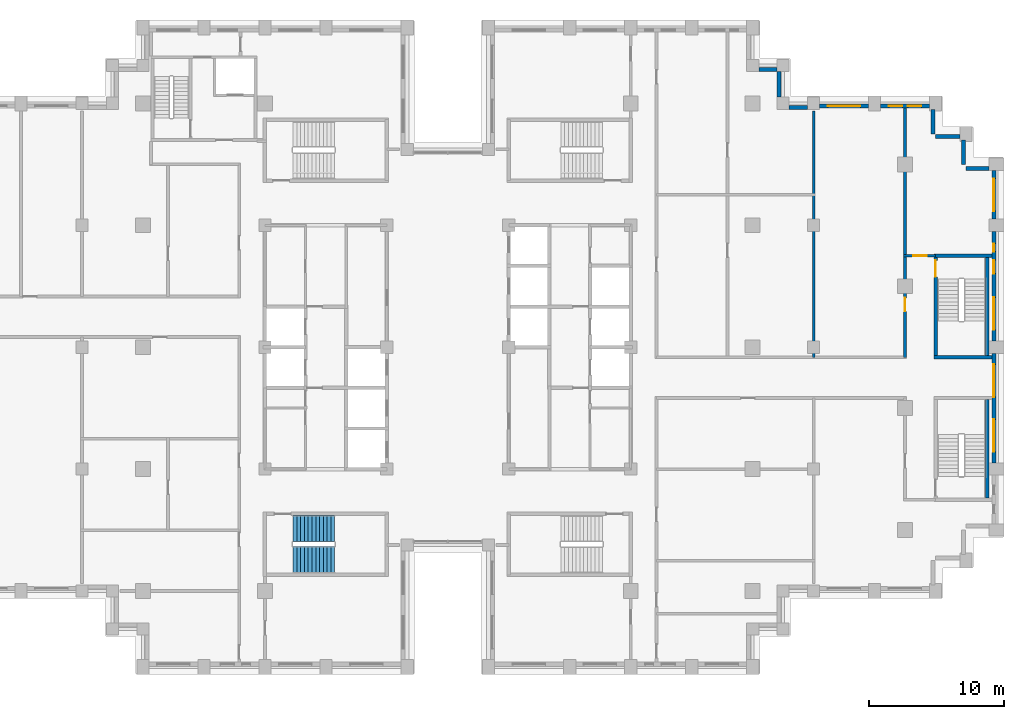
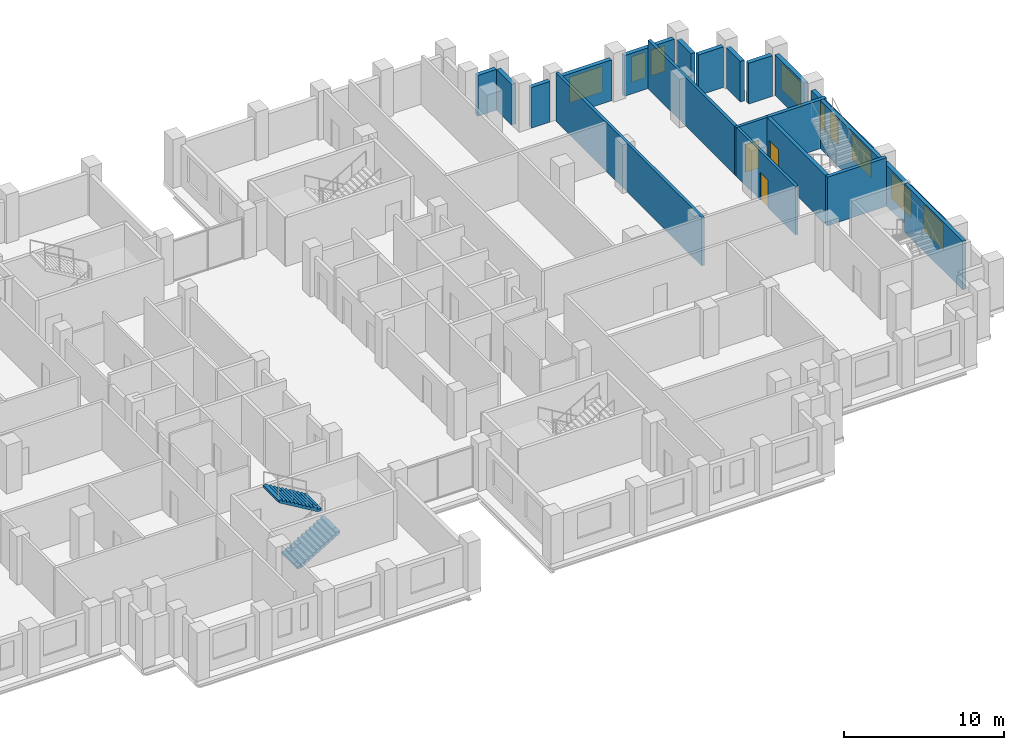
# One storey, part 12 of 15: 20 walls, 9 windows, 3 doors, 2 stair flights, 12 openings, 1 element without a shape of its own.
"""IFC4 building model written with IfcOpenShell, lengths in metres."""

from ifc_helpers import new_model, si_unit, direction, frame, frame_2d, origin, place, context, subcontext, project, spatial, polyline, rectangle, outline, extrude, material, layer, layer_set, type_object, element, fill, aggregate, save


model = new_model("IFC4")

# Units and contexts
model_context = context("Model", 3, precision=1e-05, world=origin(), true_north=direction((0.0, 1.0)))
body_context = subcontext(model_context, "Body", "Model", "MODEL_VIEW")
ifc_project = project(units=[si_unit("LENGTHUNIT", "METRE"), si_unit("AREAUNIT", "SQUARE_METRE"), si_unit("VOLUMEUNIT", "CUBIC_METRE"), si_unit("PLANEANGLEUNIT", "RADIAN"), si_unit("MASSUNIT", "GRAM", prefix="KILO")], contexts=[model_context])

# Site, building, storey
site_placement = place(None, origin())
site = spatial("IfcSite", under=ifc_project, at=site_placement, CompositionType="ELEMENT")
building_placement = place(site_placement, origin())
building = spatial("IfcBuilding", under=site, at=building_placement, Name="Corbelhall Arena Tower", CompositionType="ELEMENT")
storey_placement = place(building_placement, frame((0.0, 0.0, 166.0)))
storey = spatial("IfcBuildingStorey", under=building, at=storey_placement, Name="L33", CompositionType="ELEMENT", Elevation=166.0)

# Walls
ifc_material_1 = material(Name="Precast concrete C40/50 with granite facing", Category="masonry")
ifc_layer_1 = layer(ifc_material_1, 0.300048828125)
ifc_layer_set_1 = layer_set([ifc_layer_1], Name="EV-IW1 Infill panel 300")
wall_type_1 = type_object("IfcWallType", Name="EV-IW1 Infill panel 300", PredefinedType="SOLIDWALL", material=ifc_layer_set_1)
wall_1_placement = place(storey_placement, frame((39.949951171875, 13.199951171875, 0.0), z_axis=(0.0, 0.0, 1.0), x_axis=(-1.0, 0.0, 0.0)))
element("IfcWall", 1, at=wall_1_placement, inside=storey, type_object=wall_type_1, Name="Infill panel IW1", PredefinedType="SOLIDWALL", context=body_context, shape_type="SweptSolid", body=[
    extrude(rectangle(XDim=1.699951171875, YDim=0.300048828125, at=frame_2d((0.85009765625, 0.0))), origin(), (0.0, 0.0, 1.0), 3.10009765625),
])
for number, where, z_axis, x_axis, name in (
    (2, (38.050048828125, 15.300048828125, 0.0), (0.0, 0.0, 1.0), (0.0, -1.0, 0.0), "Infill panel IW1"),
    (3, (37.800048828125, 15.550048828125, 0.0), (0.0, 0.0, 1.0), (-1.0, 0.0, 0.0), "Infill panel IW1"),
    (4, (35.800048828125, 17.550048828125, 0.0), (0.0, 0.0, 1.0), (0.0, -1.0, 0.0), "Infill panel IW1"),
):
    element("IfcWall", number, at=place(storey_placement, frame(where, z_axis=z_axis, x_axis=x_axis)), inside=storey, type_object=wall_type_1, Name=name, PredefinedType="SOLIDWALL", context=body_context, shape_type="SweptSolid", body=[
        extrude(rectangle(XDim=1.800048828125, YDim=0.300048828125, at=frame_2d((0.89990234375, 0.0))), origin(), (0.0, 0.0, 1.0), 3.10009765625),
    ])

# Wall, openings, windows
wall_2_placement = place(storey_placement, frame((40.300048828125, -8.550048828125, 0.0), z_axis=(0.0, 0.0, 1.0), x_axis=(0.0, 1.0, 0.0)))
wall_2 = element("IfcWall", 5, at=wall_2_placement, inside=storey, type_object=wall_type_1, Name="Infill panel IW1", PredefinedType="SOLIDWALL", context=body_context, shape_type="SweptSolid", body=[
    extrude(rectangle(XDim=8.10009765625, YDim=0.300048828125, at=frame_2d((4.050048828125, 0.0))), origin(), (0.0, 0.0, 1.0), 3.10009765625),
])
opening_1_placement = place(wall_2_placement, frame((0.824951171875, 0.0, 0.800048828125)))
opening_1 = element("IfcOpeningElement", 6, at=opening_1_placement, cuts=wall_2, Name="Opening WN1", PredefinedType="OPENING", context=body_context, shape_type="SweptSolid", body=[
    extrude(rectangle(XDim=2.39990234375, YDim=1.949951171875, at=frame_2d((1.199951171875, 0.97509765625))), frame((0.0, 0.14990234375, 0.0), z_axis=(0.0, -1.0, 0.0), x_axis=(1.0, 0.0, 0.0)), (0.0, 0.0, 1.0), 0.300048828125),
])
opening_2_placement = place(wall_2_placement, frame((4.875, 0.0, 0.800048828125)))
opening_2 = element("IfcOpeningElement", 7, at=opening_2_placement, cuts=wall_2, Name="Opening WN1", PredefinedType="OPENING", context=body_context, shape_type="SweptSolid", body=[
    extrude(rectangle(XDim=2.39990234375, YDim=1.949951171875, at=frame_2d((1.199951171875, 0.97509765625))), frame((0.0, 0.14990234375, 0.0), z_axis=(0.0, -1.0, 0.0), x_axis=(1.0, 0.0, 0.0)), (0.0, 0.0, 1.0), 0.300048828125),
])
ifc_material_2 = material(Name="Aluminium black anodised", Category="aluminium")
window_type_1 = type_object("IfcWindowType", Name="EV-WN1 Office window", PartitioningType="SINGLE_PANEL", PredefinedType="WINDOW", material=ifc_material_2)
window_1_placement = place(opening_1_placement, origin())
window_1 = element("IfcWindow", 8, at=window_1_placement, inside=storey, type_object=window_type_1, Name="Window WN1", OverallHeight=1.949951171875, OverallWidth=2.39990234375, PartitioningType="SINGLE_PANEL", PredefinedType="WINDOW", context=body_context, shape_type="SweptSolid", body=[
    extrude(rectangle(XDim=2.39990234375, YDim=1.949951171875, at=frame_2d((1.199951171875, 0.97509765625))), frame((0.0, 0.030029296875, 0.0), z_axis=(0.0, -1.0, 0.0), x_axis=(1.0, 0.0, 0.0)), (0.0, 0.0, 1.0), 0.06005859375),
])
fill(opening_1, window_1)
window_2_placement = place(opening_2_placement, origin())
window_2 = element("IfcWindow", 9, at=window_2_placement, inside=storey, type_object=window_type_1, Name="Window WN1", OverallHeight=1.949951171875, OverallWidth=2.39990234375, PartitioningType="SINGLE_PANEL", PredefinedType="WINDOW", context=body_context, shape_type="SweptSolid", body=[
    extrude(rectangle(XDim=2.39990234375, YDim=1.949951171875, at=frame_2d((1.199951171875, 0.97509765625))), frame((0.0, 0.030029296875, 0.0), z_axis=(0.0, -1.0, 0.0), x_axis=(1.0, 0.0, 0.0)), (0.0, 0.0, 1.0), 0.06005859375),
])
fill(opening_2, window_2)

wall_3_placement = place(storey_placement, frame((40.300048828125, 0.449951171875, 0.0), z_axis=(0.0, 0.0, 1.0), x_axis=(0.0, 1.0, 0.0)))
wall_3 = element("IfcWall", 10, at=wall_3_placement, inside=storey, type_object=wall_type_1, Name="Infill panel IW1", PredefinedType="SOLIDWALL", context=body_context, shape_type="SweptSolid", body=[
    extrude(rectangle(XDim=8.10009765625, YDim=0.300048828125, at=frame_2d((4.050048828125, 0.0))), origin(), (0.0, 0.0, 1.0), 3.10009765625),
])
opening_3_placement = place(wall_3_placement, frame((0.824951171875, 0.0, 0.800048828125)))
opening_3 = element("IfcOpeningElement", 11, at=opening_3_placement, cuts=wall_3, Name="Opening WN1", PredefinedType="OPENING", context=body_context, shape_type="SweptSolid", body=[
    extrude(rectangle(XDim=2.39990234375, YDim=1.949951171875, at=frame_2d((1.199951171875, 0.97509765625))), frame((0.0, 0.14990234375, 0.0), z_axis=(0.0, -1.0, 0.0), x_axis=(1.0, 0.0, 0.0)), (0.0, 0.0, 1.0), 0.300048828125),
])
opening_4_placement = place(wall_3_placement, frame((4.97509765625, 0.0, 0.800048828125)))
opening_4 = element("IfcOpeningElement", 12, at=opening_4_placement, cuts=wall_3, Name="Opening WN6", PredefinedType="OPENING", context=body_context, shape_type="SweptSolid", body=[
    extrude(rectangle(XDim=1.0, YDim=1.949951171875, at=frame_2d((0.5, 0.97509765625))), frame((0.0, 0.14990234375, 0.0), z_axis=(0.0, -1.0, 0.0), x_axis=(1.0, 0.0, 0.0)), (0.0, 0.0, 1.0), 0.300048828125),
])
opening_5_placement = place(wall_3_placement, frame((6.60009765625, 0.0, 0.800048828125)))
opening_5 = element("IfcOpeningElement", 13, at=opening_5_placement, cuts=wall_3, Name="Opening WN5", PredefinedType="OPENING", context=body_context, shape_type="SweptSolid", body=[
    extrude(rectangle(XDim=0.60009765625, YDim=1.949951171875, at=frame_2d((0.300048828125, 0.97509765625))), frame((0.0, 0.14990234375, 0.0), z_axis=(0.0, -1.0, 0.0), x_axis=(1.0, 0.0, 0.0)), (0.0, 0.0, 1.0), 0.300048828125),
])
window_3_placement = place(opening_3_placement, origin())
window_3 = element("IfcWindow", 14, at=window_3_placement, inside=storey, type_object=window_type_1, Name="Window WN1", OverallHeight=1.949951171875, OverallWidth=2.39990234375, PartitioningType="SINGLE_PANEL", PredefinedType="WINDOW", context=body_context, shape_type="SweptSolid", body=[
    extrude(rectangle(XDim=2.39990234375, YDim=1.949951171875, at=frame_2d((1.199951171875, 0.97509765625))), frame((0.0, 0.030029296875, 0.0), z_axis=(0.0, -1.0, 0.0), x_axis=(1.0, 0.0, 0.0)), (0.0, 0.0, 1.0), 0.06005859375),
])
fill(opening_3, window_3)
window_type_2 = type_object("IfcWindowType", Name="EV-WN5 Office window 600", PartitioningType="SINGLE_PANEL", PredefinedType="WINDOW", material=ifc_material_2)
window_4_placement = place(opening_5_placement, origin())
window_4 = element("IfcWindow", 15, at=window_4_placement, inside=storey, type_object=window_type_2, Name="Window WN5", OverallHeight=1.949951171875, OverallWidth=0.60009765625, PartitioningType="SINGLE_PANEL", PredefinedType="WINDOW", context=body_context, shape_type="SweptSolid", body=[
    extrude(rectangle(XDim=0.60009765625, YDim=1.949951171875, at=frame_2d((0.300048828125, 0.97509765625))), frame((0.0, 0.030029296875, 0.0), z_axis=(0.0, -1.0, 0.0), x_axis=(1.0, 0.0, 0.0)), (0.0, 0.0, 1.0), 0.06005859375),
])
fill(opening_5, window_4)
window_type_3 = type_object("IfcWindowType", Name="EV-WN6 Office window 1000", PartitioningType="SINGLE_PANEL", PredefinedType="WINDOW", material=ifc_material_2)
window_5_placement = place(opening_4_placement, origin())
window_5 = element("IfcWindow", 16, at=window_5_placement, inside=storey, type_object=window_type_3, Name="Window WN6", OverallHeight=1.949951171875, OverallWidth=1.0, PartitioningType="SINGLE_PANEL", PredefinedType="WINDOW", context=body_context, shape_type="SweptSolid", body=[
    extrude(rectangle(XDim=1.0, YDim=1.949951171875, at=frame_2d((0.5, 0.97509765625))), frame((0.0, 0.030029296875, 0.0), z_axis=(0.0, -1.0, 0.0), x_axis=(1.0, 0.0, 0.0)), (0.0, 0.0, 1.0), 0.06005859375),
])
fill(opening_4, window_5)

# Wall, opening, window
wall_4_placement = place(storey_placement, frame((40.300048828125, 9.449951171875, 0.0), z_axis=(0.0, 0.0, 1.0), x_axis=(0.0, 1.0, 0.0)))
wall_4 = element("IfcWall", 17, at=wall_4_placement, inside=storey, type_object=wall_type_1, Name="Infill panel IW1", PredefinedType="SOLIDWALL", context=body_context, shape_type="SweptSolid", body=[
    extrude(rectangle(XDim=3.60009765625, YDim=0.300048828125, at=frame_2d((1.800048828125, 0.0))), origin(), (0.0, 0.0, 1.0), 3.10009765625),
])
opening_6_placement = place(wall_4_placement, frame((0.60009765625, 0.0, 0.800048828125)))
opening_6 = element("IfcOpeningElement", 18, at=opening_6_placement, cuts=wall_4, Name="Opening WN1", PredefinedType="OPENING", context=body_context, shape_type="SweptSolid", body=[
    extrude(rectangle(XDim=2.39990234375, YDim=1.949951171875, at=frame_2d((1.199951171875, 0.97509765625))), frame((0.0, 0.14990234375, 0.0), z_axis=(0.0, -1.0, 0.0), x_axis=(1.0, 0.0, 0.0)), (0.0, 0.0, 1.0), 0.300048828125),
])
window_6_placement = place(opening_6_placement, origin())
window_6 = element("IfcWindow", 19, at=window_6_placement, inside=storey, type_object=window_type_1, Name="Window WN1", OverallHeight=1.949951171875, OverallWidth=2.39990234375, PartitioningType="SINGLE_PANEL", PredefinedType="WINDOW", context=body_context, shape_type="SweptSolid", body=[
    extrude(rectangle(XDim=2.39990234375, YDim=1.949951171875, at=frame_2d((1.199951171875, 0.97509765625))), frame((0.0, 0.030029296875, 0.0), z_axis=(0.0, -1.0, 0.0), x_axis=(1.0, 0.0, 0.0)), (0.0, 0.0, 1.0), 0.06005859375),
])
fill(opening_6, window_6)

# Wall, openings, windows
wall_5_placement = place(storey_placement, frame((35.550048828125, 17.800048828125, 0.0), z_axis=(0.0, 0.0, 1.0), x_axis=(-1.0, 0.0, 0.0)))
wall_5 = element("IfcWall", 20, at=wall_5_placement, inside=storey, type_object=wall_type_1, Name="Infill panel IW1", PredefinedType="SOLIDWALL", context=body_context, shape_type="SweptSolid", body=[
    extrude(rectangle(XDim=3.60009765625, YDim=0.300048828125, at=frame_2d((1.800048828125, 0.0))), origin(), (0.0, 0.0, 1.0), 3.10009765625),
])
opening_7_placement = place(wall_5_placement, frame((0.60009765625, 0.0, 0.800048828125)))
opening_7 = element("IfcOpeningElement", 21, at=opening_7_placement, cuts=wall_5, Name="Opening WN6", PredefinedType="OPENING", context=body_context, shape_type="SweptSolid", body=[
    extrude(rectangle(XDim=1.0, YDim=1.949951171875, at=frame_2d((0.5, 0.97509765625))), frame((0.0, 0.14990234375, 0.0), z_axis=(0.0, -1.0, 0.0), x_axis=(1.0, 0.0, 0.0)), (0.0, 0.0, 1.0), 0.300048828125),
])
opening_8_placement = place(wall_5_placement, frame((2.0, 0.0, 0.800048828125)))
opening_8 = element("IfcOpeningElement", 22, at=opening_8_placement, cuts=wall_5, Name="Opening WN6", PredefinedType="OPENING", context=body_context, shape_type="SweptSolid", body=[
    extrude(rectangle(XDim=1.0, YDim=1.949951171875, at=frame_2d((0.5, 0.97509765625))), frame((0.0, 0.14990234375, 0.0), z_axis=(0.0, -1.0, 0.0), x_axis=(1.0, 0.0, 0.0)), (0.0, 0.0, 1.0), 0.300048828125),
])
window_7_placement = place(opening_7_placement, origin())
window_7 = element("IfcWindow", 23, at=window_7_placement, inside=storey, type_object=window_type_3, Name="Window WN6", OverallHeight=1.949951171875, OverallWidth=1.0, PartitioningType="SINGLE_PANEL", PredefinedType="WINDOW", context=body_context, shape_type="SweptSolid", body=[
    extrude(rectangle(XDim=1.0, YDim=1.949951171875, at=frame_2d((0.5, 0.97509765625))), frame((0.0, 0.030029296875, 0.0), z_axis=(0.0, -1.0, 0.0), x_axis=(1.0, 0.0, 0.0)), (0.0, 0.0, 1.0), 0.06005859375),
])
fill(opening_7, window_7)
window_8_placement = place(opening_8_placement, origin())
window_8 = element("IfcWindow", 24, at=window_8_placement, inside=storey, type_object=window_type_3, Name="Window WN6", OverallHeight=1.949951171875, OverallWidth=1.0, PartitioningType="SINGLE_PANEL", PredefinedType="WINDOW", context=body_context, shape_type="SweptSolid", body=[
    extrude(rectangle(XDim=1.0, YDim=1.949951171875, at=frame_2d((0.5, 0.97509765625))), frame((0.0, 0.030029296875, 0.0), z_axis=(0.0, -1.0, 0.0), x_axis=(1.0, 0.0, 0.0)), (0.0, 0.0, 1.0), 0.06005859375),
])
fill(opening_8, window_8)

# Wall, opening, window
wall_6_placement = place(storey_placement, frame((31.050048828125, 17.800048828125, 0.0), z_axis=(0.0, 0.0, 1.0), x_axis=(-1.0, 0.0, 0.0)))
wall_6 = element("IfcWall", 25, at=wall_6_placement, inside=storey, type_object=wall_type_1, Name="Infill panel IW1", PredefinedType="SOLIDWALL", context=body_context, shape_type="SweptSolid", body=[
    extrude(rectangle(XDim=3.60009765625, YDim=0.300048828125, at=frame_2d((1.800048828125, 0.0))), origin(), (0.0, 0.0, 1.0), 3.10009765625),
])
opening_9_placement = place(wall_6_placement, frame((0.60009765625, 0.0, 0.800048828125)))
opening_9 = element("IfcOpeningElement", 26, at=opening_9_placement, cuts=wall_6, Name="Opening WN1", PredefinedType="OPENING", context=body_context, shape_type="SweptSolid", body=[
    extrude(rectangle(XDim=2.39990234375, YDim=1.949951171875, at=frame_2d((1.199951171875, 0.97509765625))), frame((0.0, 0.14990234375, 0.0), z_axis=(0.0, -1.0, 0.0), x_axis=(1.0, 0.0, 0.0)), (0.0, 0.0, 1.0), 0.300048828125),
])
window_9_placement = place(opening_9_placement, origin())
window_9 = element("IfcWindow", 27, at=window_9_placement, inside=storey, type_object=window_type_1, Name="Window WN1", OverallHeight=1.949951171875, OverallWidth=2.39990234375, PartitioningType="SINGLE_PANEL", PredefinedType="WINDOW", context=body_context, shape_type="SweptSolid", body=[
    extrude(rectangle(XDim=2.39990234375, YDim=1.949951171875, at=frame_2d((1.199951171875, 0.97509765625))), frame((0.0, 0.030029296875, 0.0), z_axis=(0.0, -1.0, 0.0), x_axis=(1.0, 0.0, 0.0)), (0.0, 0.0, 1.0), 0.06005859375),
])
fill(opening_9, window_9)

# Walls
wall_7_placement = place(storey_placement, frame((26.550048828125, 17.699951171875, 0.0), z_axis=(0.0, 0.0, 1.0), x_axis=(-1.0, 0.0, 0.0)))
element("IfcWall", 28, at=wall_7_placement, inside=storey, type_object=wall_type_1, Name="Infill panel IW1", PredefinedType="SOLIDWALL", context=body_context, shape_type="SweptSolid", body=[
    extrude(rectangle(XDim=1.35009765625, YDim=0.300048828125, at=frame_2d((0.675048828125, 0.0))), origin(), (0.0, 0.0, 1.0), 3.10009765625),
])
wall_8_placement = place(storey_placement, frame((24.449951171875, 18.449951171875, 0.0), z_axis=(0.0, 0.0, 1.0), x_axis=(0.0, 1.0, 0.0)))
element("IfcWall", 29, at=wall_8_placement, inside=storey, type_object=wall_type_1, Name="Infill panel IW1", PredefinedType="SOLIDWALL", context=body_context, shape_type="SweptSolid", body=[
    extrude(rectangle(XDim=1.900146484375, YDim=0.300048828125, at=frame_2d((0.9501953125, 0.0))), origin(), (0.0, 0.0, 1.0), 3.10009765625),
])
wall_9_placement = place(storey_placement, frame((24.300048828125, 20.5, 0.0), z_axis=(0.0, 0.0, 1.0), x_axis=(-1.0, 0.0, 0.0)))
element("IfcWall", 30, at=wall_9_placement, inside=storey, type_object=wall_type_1, Name="Infill panel IW1", PredefinedType="SOLIDWALL", context=body_context, shape_type="SweptSolid", body=[
    extrude(rectangle(XDim=1.35009765625, YDim=0.300048828125, at=frame_2d((0.675048828125, 0.0))), origin(), (0.0, 0.0, 1.0), 3.10009765625),
])
ifc_material_3 = material(Name="Gypsum board on steel stud, acoustic", Category="steel")
ifc_layer_2 = layer(ifc_material_3, 0.199951171875)
ifc_layer_set_2 = layer_set([ifc_layer_2], Name="IN-W-DM200")
wall_type_2 = type_object("IfcWallType", Name="IN-W-DM200", PredefinedType="PARTITIONING", material=ifc_layer_set_2)
wall_10_placement = place(storey_placement, frame((27.0, 17.449951171875, 0.0), z_axis=(0.0, 0.0, 1.0), x_axis=(0.0, -1.0, 0.0)))
element("IfcWall", 31, at=wall_10_placement, inside=storey, type_object=wall_type_2, Name="Partition 038", PredefinedType="PARTITIONING", context=body_context, shape_type="SweptSolid", body=[
    extrude(rectangle(XDim=18.199951171875, YDim=0.199951171875, at=frame_2d((9.10009765625, 0.0))), origin(), (0.0, 0.0, 1.0), 3.699951171875),
])

# Wall, opening, door
wall_11_placement = place(storey_placement, frame((33.64990234375, 6.75, 0.0), z_axis=(0.0, 0.0, 1.0), x_axis=(1.0, 0.0, 0.0)))
wall_11 = element("IfcWall", 32, at=wall_11_placement, inside=storey, type_object=wall_type_2, Name="Partition 040", PredefinedType="PARTITIONING", context=body_context, shape_type="SweptSolid", body=[
    extrude(rectangle(XDim=2.35009765625, YDim=0.199951171875, at=frame_2d((1.175048828125, 0.0))), origin(), (0.0, 0.0, 1.0), 3.699951171875),
])
opening_10_placement = place(wall_11_placement, frame((0.699951171875, 0.0, 0.0)))
opening_10 = element("IfcOpeningElement", 33, at=opening_10_placement, cuts=wall_11, Name="Opening 09044", PredefinedType="OPENING", context=body_context, shape_type="SweptSolid", body=[
    extrude(rectangle(XDim=1.0, YDim=2.10009765625, at=frame_2d((0.5, 1.050048828125))), frame((0.0, 0.10009765625, 0.0), z_axis=(0.0, -1.0, 0.0), x_axis=(1.0, 0.0, 0.0)), (0.0, 0.0, 1.0), 0.199951171875),
])
ifc_material_4 = material(Name="Steel door set", Category="steel")
door_type_1 = type_object("IfcDoorType", Name="IN-D-SW100", OperationType="NOTDEFINED", PredefinedType="DOOR", material=ifc_material_4)
door_1_placement = place(opening_10_placement, origin())
door_1 = element("IfcDoor", 34, at=door_1_placement, inside=storey, type_object=door_type_1, Name="Door 044", OperationType="SINGLE_SWING_LEFT", OverallHeight=2.10009765625, OverallWidth=1.0, PredefinedType="DOOR", context=body_context, shape_type="SweptSolid", body=[
    extrude(rectangle(XDim=1.0, YDim=2.10009765625, at=frame_2d((0.5, 1.050048828125))), frame((0.0, 0.02490234375, 0.0), z_axis=(0.0, -1.0, 0.0), x_axis=(1.0, 0.0, 0.0)), (0.0, 0.0, 1.0), 0.050048828125),
])
fill(opening_10, door_1)

wall_12_placement = place(storey_placement, frame((33.75, -0.75, 0.0), z_axis=(0.0, 0.0, 1.0), x_axis=(0.0, 1.0, 0.0)))
wall_12 = element("IfcWall", 35, at=wall_12_placement, inside=storey, type_object=wall_type_2, Name="Partition 042", PredefinedType="PARTITIONING", context=body_context, shape_type="SweptSolid", body=[
    extrude(rectangle(XDim=18.39990234375, YDim=0.199951171875, at=frame_2d((9.199951171875, 0.0))), origin(), (0.0, 0.0, 1.0), 3.699951171875),
])
opening_11_placement = place(wall_12_placement, frame((3.39990234375, 0.0, 0.0)))
opening_11 = element("IfcOpeningElement", 36, at=opening_11_placement, cuts=wall_12, Name="Opening 09043", PredefinedType="OPENING", context=body_context, shape_type="SweptSolid", body=[
    extrude(rectangle(XDim=1.0, YDim=2.10009765625, at=frame_2d((0.5, 1.050048828125))), frame((0.0, 0.10009765625, 0.0), z_axis=(0.0, -1.0, 0.0), x_axis=(1.0, 0.0, 0.0)), (0.0, 0.0, 1.0), 0.199951171875),
])
door_2_placement = place(opening_11_placement, origin())
door_2 = element("IfcDoor", 37, at=door_2_placement, inside=storey, type_object=door_type_1, Name="Door 043", OperationType="SINGLE_SWING_RIGHT", OverallHeight=2.10009765625, OverallWidth=1.0, PredefinedType="DOOR", context=body_context, shape_type="SweptSolid", body=[
    extrude(rectangle(XDim=1.0, YDim=2.10009765625, at=frame_2d((0.5, 1.050048828125))), frame((0.0, 0.02490234375, 0.0), z_axis=(0.0, -1.0, 0.0), x_axis=(1.0, 0.0, 0.0)), (0.0, 0.0, 1.0), 0.050048828125),
])
fill(opening_11, door_2)

# Wall
ifc_material_5 = material(Name="Concrete C40/50", Category="concrete")
ifc_layer_3 = layer(ifc_material_5, 0.25)
ifc_layer_set_3 = layer_set([ifc_layer_3], Name="IN-W-ST250")
wall_type_3 = type_object("IfcWallType", Name="IN-W-ST250", PredefinedType="SOLIDWALL", material=ifc_layer_set_3)
wall_13_placement = place(storey_placement, frame((35.875, -0.75, 0.0), z_axis=(0.0, 0.0, 1.0), x_axis=(1.0, 0.0, 0.0)))
element("IfcWall", 38, at=wall_13_placement, inside=storey, type_object=wall_type_3, Name="Shaft wall 100", PredefinedType="SOLIDWALL", context=body_context, shape_type="SweptSolid", body=[
    extrude(rectangle(XDim=4.27490234375, YDim=0.25, at=frame_2d((2.137451171875, 0.0))), origin(), (0.0, 0.0, 1.0), 3.699951171875),
])

# Wall, opening, door
wall_14_placement = place(storey_placement, frame((36.0, -0.75, 0.0), z_axis=(0.0, 0.0, 1.0), x_axis=(0.0, 1.0, 0.0)))
wall_14 = element("IfcWall", 39, at=wall_14_placement, inside=storey, type_object=wall_type_3, Name="Shaft wall 102", PredefinedType="SOLIDWALL", context=body_context, shape_type="SweptSolid", body=[
    extrude(rectangle(XDim=7.625, YDim=0.25, at=frame_2d((3.8125, 0.0))), origin(), (0.0, 0.0, 1.0), 3.699951171875),
])
opening_12_placement = place(wall_14_placement, frame((5.949951171875, 0.0, 0.0)))
opening_12 = element("IfcOpeningElement", 40, at=opening_12_placement, cuts=wall_14, Name="Opening 09019", PredefinedType="OPENING", context=body_context, shape_type="SweptSolid", body=[
    extrude(rectangle(XDim=1.199951171875, YDim=2.10009765625, at=frame_2d((0.60009765625, 1.050048828125))), frame((0.0, 0.125, 0.0), z_axis=(0.0, -1.0, 0.0), x_axis=(1.0, 0.0, 0.0)), (0.0, 0.0, 1.0), 0.25),
])
door_type_2 = type_object("IfcDoorType", Name="IN-D-ST120", OperationType="NOTDEFINED", PredefinedType="DOOR", material=ifc_material_4)
door_3_placement = place(opening_12_placement, origin())
door_3 = element("IfcDoor", 41, at=door_3_placement, inside=storey, type_object=door_type_2, Name="Door 019", OperationType="SINGLE_SWING_RIGHT", OverallHeight=2.10009765625, OverallWidth=1.199951171875, PredefinedType="DOOR", context=body_context, shape_type="SweptSolid", body=[
    extrude(rectangle(XDim=1.199951171875, YDim=2.10009765625, at=frame_2d((0.60009765625, 1.050048828125))), frame((0.0, 0.02490234375, 0.0), z_axis=(0.0, -1.0, 0.0), x_axis=(1.0, 0.0, 0.0)), (0.0, 0.0, 1.0), 0.050048828125),
])
fill(opening_12, door_3)

# Walls
wall_15_placement = place(storey_placement, frame((36.0, 6.75, 0.0), z_axis=(0.0, 0.0, 1.0), x_axis=(1.0, 0.0, 0.0)))
element("IfcWall", 42, at=wall_15_placement, inside=storey, type_object=wall_type_3, Name="Shaft wall 103", PredefinedType="SOLIDWALL", context=body_context, shape_type="SweptSolid", body=[
    extrude(rectangle(XDim=4.14990234375, YDim=0.25, at=frame_2d((2.074951171875, 0.0))), origin(), (0.0, 0.0, 1.0), 3.699951171875),
])
for number, where, z_axis, x_axis, name in (
    (43, (39.824951171875, -11.125, 0.0), (0.0, 0.0, 1.0), (0.0, 1.0, 0.0), "Shaft wall SD1 facade side"),
    (44, (39.824951171875, -0.625, 0.0), (0.0, 0.0, 1.0), (0.0, 1.0, 0.0), "Shaft wall SD2 facade side"),
):
    element("IfcWall", number, at=place(storey_placement, frame(where, z_axis=z_axis, x_axis=x_axis)), inside=storey, type_object=wall_type_3, Name=name, PredefinedType="SOLIDWALL", context=body_context, shape_type="SweptSolid", body=[
        extrude(rectangle(XDim=7.25, YDim=0.25, at=frame_2d((3.625, 0.0))), origin(), (0.0, 0.0, 1.0), 3.699951171875),
    ])

# Stair, stair flights
stair_type = type_object("IfcStairType", Name="IN-ST-TOWER", PredefinedType="HALF_TURN_STAIR", material=ifc_material_5)
stair_placement = place(storey_placement, origin())
stair = element("IfcStair", 45, at=stair_placement, inside=storey, type_object=stair_type, Name="L33 Exit stair ST2", PredefinedType="HALF_TURN_STAIR")
stair_flight_type = type_object("IfcStairFlightType", Name="IN-SFL-RC", PredefinedType="STRAIGHT", material=ifc_material_5)
stair_flight_1_placement = place(storey_placement, frame((-11.425048828125, -15.699951171875, 0.0), z_axis=(0.0, 0.0, 1.0), x_axis=(1.0, 0.0, 0.0)))
stair_flight_1 = element("IfcStairFlight", 46, at=stair_flight_1_placement, type_object=stair_flight_type, Name="ST2 flight 1", NumberOfRisers=12, NumberOfTreads=11, PredefinedType="STRAIGHT", RiserHeight=0.166666667, TreadLength=0.28, context=body_context, shape_type="SweptSolid", body=[
    extrude(outline(polyline([(0.0, 0.0), (0.0, 0.166748046875), (0.280029296875, 0.166748046875), (0.280029296875, 0.333251953125), (0.56005859375, 0.333251953125), (0.56005859375, 0.5), (0.840087890625, 0.5), (0.840087890625, 0.666748046875), (1.1201171875, 0.666748046875), (1.1201171875, 0.833251953125), (1.39990234375, 0.833251953125), (1.39990234375, 1.0), (1.679931640625, 1.0), (1.679931640625, 1.166748046875), (1.9599609375, 1.166748046875), (1.9599609375, 1.333251953125), (2.239990234375, 1.333251953125), (2.239990234375, 1.5), (2.52001953125, 1.5), (2.52001953125, 1.666748046875), (2.800048828125, 1.666748046875), (2.800048828125, 1.833251953125), (3.080078125, 1.833251953125), (3.080078125, 2.0), (3.080078125, 1.658935546875), (0.29296875, 0.0), (0.0, 0.0)])), frame((0.0, 0.97509765625, 0.0), z_axis=(0.0, -1.0, 0.0), x_axis=(1.0, 0.0, 0.0)), (0.0, 0.0, 1.0), 0.449951171875),
    extrude(outline(polyline([(0.0, 0.0), (0.0, 0.166748046875), (0.280029296875, 0.166748046875), (0.280029296875, 0.333251953125), (0.56005859375, 0.333251953125), (0.56005859375, 0.5), (0.840087890625, 0.5), (0.840087890625, 0.666748046875), (1.1201171875, 0.666748046875), (1.1201171875, 0.833251953125), (1.39990234375, 0.833251953125), (1.39990234375, 1.0), (1.679931640625, 1.0), (1.679931640625, 1.166748046875), (1.9599609375, 1.166748046875), (1.9599609375, 1.333251953125), (2.239990234375, 1.333251953125), (2.239990234375, 1.5), (2.52001953125, 1.5), (2.52001953125, 1.666748046875), (2.800048828125, 1.666748046875), (2.800048828125, 1.833251953125), (3.080078125, 1.833251953125), (3.080078125, 2.0), (3.080078125, 1.658935546875), (0.29296875, 0.0), (0.0, 0.0)])), frame((0.0, 0.52099609375, 0.0), z_axis=(0.0, -1.0, 0.0), x_axis=(1.0, 0.0, 0.0)), (0.0, 0.0, 1.0), 1.0419921875),
    extrude(outline(polyline([(0.0, 0.0), (0.0, 0.166748046875), (0.280029296875, 0.166748046875), (0.280029296875, 0.333251953125), (0.56005859375, 0.333251953125), (0.56005859375, 0.5), (0.840087890625, 0.5), (0.840087890625, 0.666748046875), (1.1201171875, 0.666748046875), (1.1201171875, 0.833251953125), (1.39990234375, 0.833251953125), (1.39990234375, 1.0), (1.679931640625, 1.0), (1.679931640625, 1.166748046875), (1.9599609375, 1.166748046875), (1.9599609375, 1.333251953125), (2.239990234375, 1.333251953125), (2.239990234375, 1.5), (2.52001953125, 1.5), (2.52001953125, 1.666748046875), (2.800048828125, 1.666748046875), (2.800048828125, 1.833251953125), (3.080078125, 1.833251953125), (3.080078125, 2.0), (3.080078125, 1.658935546875), (0.29296875, 0.0), (0.0, 0.0)])), frame((0.0, -0.52490234375, 0.0), z_axis=(0.0, -1.0, 0.0), x_axis=(1.0, 0.0, 0.0)), (0.0, 0.0, 1.0), 0.449951171875),
])
stair_flight_2_placement = place(storey_placement, frame((-8.344970703125, -13.39990234375, 2.0), z_axis=(0.0, 0.0, 1.0), x_axis=(-1.0, 0.0, 0.0)))
stair_flight_2 = element("IfcStairFlight", 47, at=stair_flight_2_placement, type_object=stair_flight_type, Name="ST2 flight 2", NumberOfRisers=12, NumberOfTreads=11, PredefinedType="STRAIGHT", RiserHeight=0.166666667, TreadLength=0.28, context=body_context, shape_type="SweptSolid", body=[
    extrude(outline(polyline([(0.0, 0.0), (0.0, 0.166748046875), (0.280029296875, 0.166748046875), (0.280029296875, 0.333251953125), (0.56005859375, 0.333251953125), (0.56005859375, 0.5), (0.840087890625, 0.5), (0.840087890625, 0.666748046875), (1.1201171875, 0.666748046875), (1.1201171875, 0.833251953125), (1.39990234375, 0.833251953125), (1.39990234375, 1.0), (1.679931640625, 1.0), (1.679931640625, 1.166748046875), (1.9599609375, 1.166748046875), (1.9599609375, 1.333251953125), (2.239990234375, 1.333251953125), (2.239990234375, 1.5), (2.52001953125, 1.5), (2.52001953125, 1.666748046875), (2.800048828125, 1.666748046875), (2.800048828125, 1.833251953125), (3.080078125, 1.833251953125), (3.080078125, 2.0), (3.080078125, 1.658935546875), (0.29296875, 0.0), (0.0, 0.0)])), frame((0.0, 0.97509765625, 0.0), z_axis=(0.0, -1.0, 0.0), x_axis=(1.0, 0.0, 0.0)), (0.0, 0.0, 1.0), 0.449951171875),
    extrude(outline(polyline([(0.0, 0.0), (0.0, 0.166748046875), (0.280029296875, 0.166748046875), (0.280029296875, 0.333251953125), (0.56005859375, 0.333251953125), (0.56005859375, 0.5), (0.840087890625, 0.5), (0.840087890625, 0.666748046875), (1.1201171875, 0.666748046875), (1.1201171875, 0.833251953125), (1.39990234375, 0.833251953125), (1.39990234375, 1.0), (1.679931640625, 1.0), (1.679931640625, 1.166748046875), (1.9599609375, 1.166748046875), (1.9599609375, 1.333251953125), (2.239990234375, 1.333251953125), (2.239990234375, 1.5), (2.52001953125, 1.5), (2.52001953125, 1.666748046875), (2.800048828125, 1.666748046875), (2.800048828125, 1.833251953125), (3.080078125, 1.833251953125), (3.080078125, 2.0), (3.080078125, 1.658935546875), (0.29296875, 0.0), (0.0, 0.0)])), frame((0.0, 0.52099609375, 0.0), z_axis=(0.0, -1.0, 0.0), x_axis=(1.0, 0.0, 0.0)), (0.0, 0.0, 1.0), 1.0419921875),
    extrude(outline(polyline([(0.0, 0.0), (0.0, 0.166748046875), (0.280029296875, 0.166748046875), (0.280029296875, 0.333251953125), (0.56005859375, 0.333251953125), (0.56005859375, 0.5), (0.840087890625, 0.5), (0.840087890625, 0.666748046875), (1.1201171875, 0.666748046875), (1.1201171875, 0.833251953125), (1.39990234375, 0.833251953125), (1.39990234375, 1.0), (1.679931640625, 1.0), (1.679931640625, 1.166748046875), (1.9599609375, 1.166748046875), (1.9599609375, 1.333251953125), (2.239990234375, 1.333251953125), (2.239990234375, 1.5), (2.52001953125, 1.5), (2.52001953125, 1.666748046875), (2.800048828125, 1.666748046875), (2.800048828125, 1.833251953125), (3.080078125, 1.833251953125), (3.080078125, 2.0), (3.080078125, 1.658935546875), (0.29296875, 0.0), (0.0, 0.0)])), frame((0.0, -0.52490234375, 0.0), z_axis=(0.0, -1.0, 0.0), x_axis=(1.0, 0.0, 0.0)), (0.0, 0.0, 1.0), 0.449951171875),
])
aggregate(stair, [stair_flight_1, stair_flight_2])

save(model, "model.ifc")
